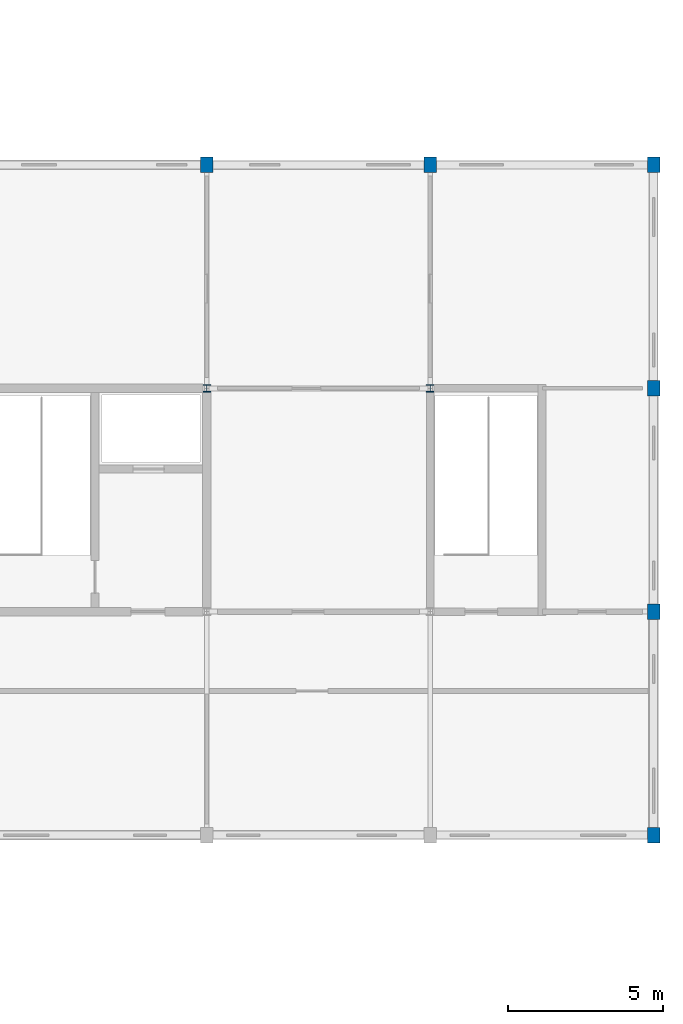
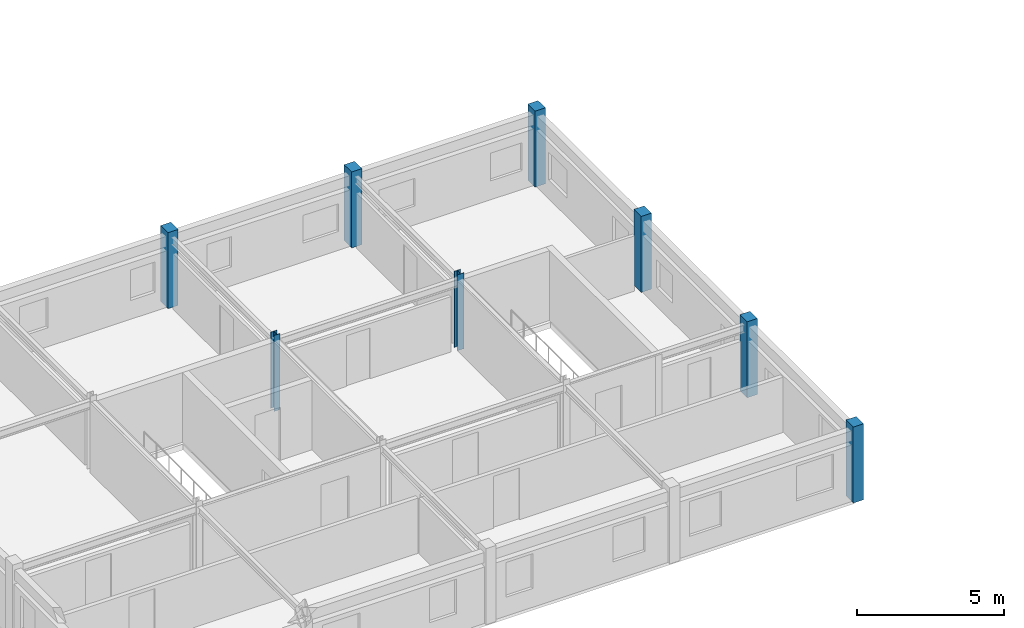
# One storey, part 7 of 50: 8 columns.
"""IFC4 building model written with IfcOpenShell, lengths in metres."""

from ifc_helpers import new_model, si_unit, direction, frame, origin, origin_2d, place, context, subcontext, project, spatial, rectangle, i_section, extrude, material, material_profile, profile_set, type_object, element, save


model = new_model("IFC4")

# Units and contexts
model_context = context("Model", 3, precision=1e-05, world=origin(), true_north=direction((0.0, 1.0)))
body_context = subcontext(model_context, "Body", "Model", "MODEL_VIEW")
ifc_project = project(units=[si_unit("LENGTHUNIT", "METRE"), si_unit("AREAUNIT", "SQUARE_METRE"), si_unit("VOLUMEUNIT", "CUBIC_METRE"), si_unit("PLANEANGLEUNIT", "RADIAN"), si_unit("MASSUNIT", "GRAM", prefix="KILO"), si_unit("THERMODYNAMICTEMPERATUREUNIT", "KELVIN"), si_unit("POWERUNIT", "WATT")], contexts=[model_context])

# Site, building, storey
site_placement = place(None, origin())
site = spatial("IfcSite", under=ifc_project, at=site_placement, CompositionType="ELEMENT")
building_placement = place(site_placement, origin())
building = spatial("IfcBuilding", under=site, at=building_placement, Name="Tavuni Mirador Residences", CompositionType="ELEMENT")
storey_placement = place(building_placement, frame((0.0, 0.0, 4.5)))
storey = spatial("IfcBuildingStorey", under=building, at=storey_placement, Name="L01", CompositionType="ELEMENT", Elevation=4.5)

# Columns
ifc_material_1 = material(Name="Precast concrete C40/50", Category="concrete")
ifc_material_profile_1 = material_profile(ifc_material_1, rectangle(XDim=0.39990234375, YDim=0.5, at=origin_2d()), Name="PC 400x500", Category="concrete")
ifc_profile_set_1 = profile_set([ifc_material_profile_1], Name="Precast concrete C40/50")
column_type_1 = type_object("IfcColumnType", Name="CT-PC400X500", PredefinedType="COLUMN", material=ifc_profile_set_1)
for number, where, z_axis, x_axis, name in (
    (1, (104.39990234375, 64.800048828125, 0.0), (0.0, 0.0, 1.0), (1.0, 0.0, 0.0), "COL-PAV-NURS-L01-02-03"),
    (2, (111.60009765625, 64.800048828125, 0.0), (0.0, 0.0, 1.0), (1.0, 0.0, 0.0), "COL-PAV-NURS-L01-03-03"),
    (3, (118.800048828125, 43.199951171875, 0.0), (0.0, 0.0, 1.0), (1.0, 0.0, 0.0), "COL-PAV-NURS-L01-04-00"),
    (4, (118.800048828125, 50.39990234375, 0.0), (0.0, 0.0, 1.0), (1.0, 0.0, 0.0), "COL-PAV-NURS-L01-04-01"),
    (5, (118.800048828125, 57.60009765625, 0.0), (0.0, 0.0, 1.0), (1.0, 0.0, 0.0), "COL-PAV-NURS-L01-04-02"),
    (6, (118.800048828125, 64.800048828125, 0.0), (0.0, 0.0, 1.0), (1.0, 0.0, 0.0), "COL-PAV-NURS-L01-04-03"),
):
    element("IfcColumn", number, at=place(storey_placement, frame(where, z_axis=z_axis, x_axis=x_axis)), inside=storey, type_object=column_type_1, Name=name, PredefinedType="COLUMN", context=body_context, shape_type="SweptSolid", body=[
        extrude(rectangle(XDim=0.39990234375, YDim=0.5, at=origin_2d()), origin(), (0.0, 0.0, 1.0), 3.14990234375),
    ])
ifc_material_2 = material(Name="Structural steel S355", Category="steel")
ifc_material_profile_2 = material_profile(ifc_material_2, i_section(OverallWidth=0.239990234375, OverallDepth=0.239990234375, WebThickness=0.010009765625, FlangeThickness=0.01708984375, FilletRadius=0.02099609375, at=origin_2d()), Name="HEB 240", Category="steel")
ifc_profile_set_2 = profile_set([ifc_material_profile_2], Name="Structural steel S355")
column_type_2 = type_object("IfcColumnType", Name="CT-ST-HEB240", PredefinedType="COLUMN", material=ifc_profile_set_2)
for number, where, z_axis, x_axis, name in (
    (7, (104.39990234375, 57.60009765625, 0.0), (0.0, 0.0, 1.0), (1.0, 0.0, 0.0), "COL-PAV-NURS-L01-02-02"),
    (8, (111.60009765625, 57.60009765625, 0.0), (0.0, 0.0, 1.0), (1.0, 0.0, 0.0), "COL-PAV-NURS-L01-03-02"),
):
    element("IfcColumn", number, at=place(storey_placement, frame(where, z_axis=z_axis, x_axis=x_axis)), inside=storey, type_object=column_type_2, Name=name, PredefinedType="COLUMN", context=body_context, shape_type="SweptSolid", body=[
        extrude(i_section(OverallWidth=0.239990234375, OverallDepth=0.239990234375, WebThickness=0.010009765625, FlangeThickness=0.01708984375, FilletRadius=0.02099609375, at=origin_2d()), origin(), (0.0, 0.0, 1.0), 3.14990234375),
    ])

save(model, "model.ifc")
